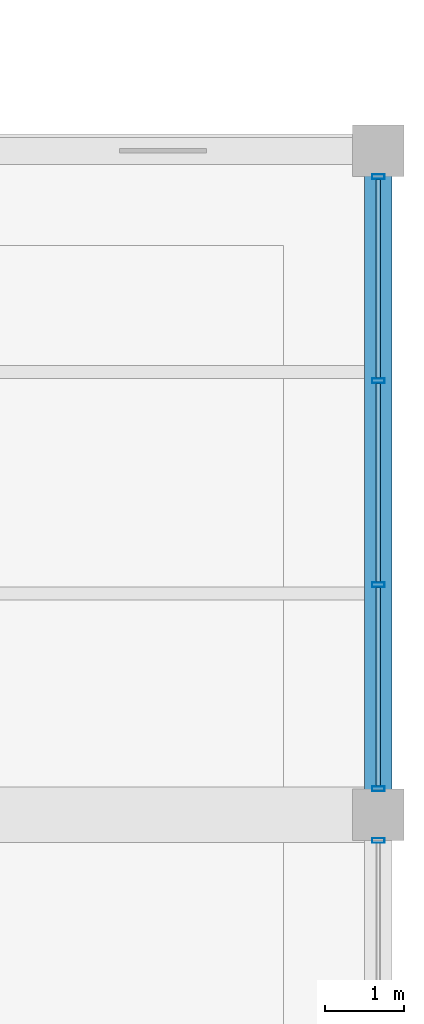
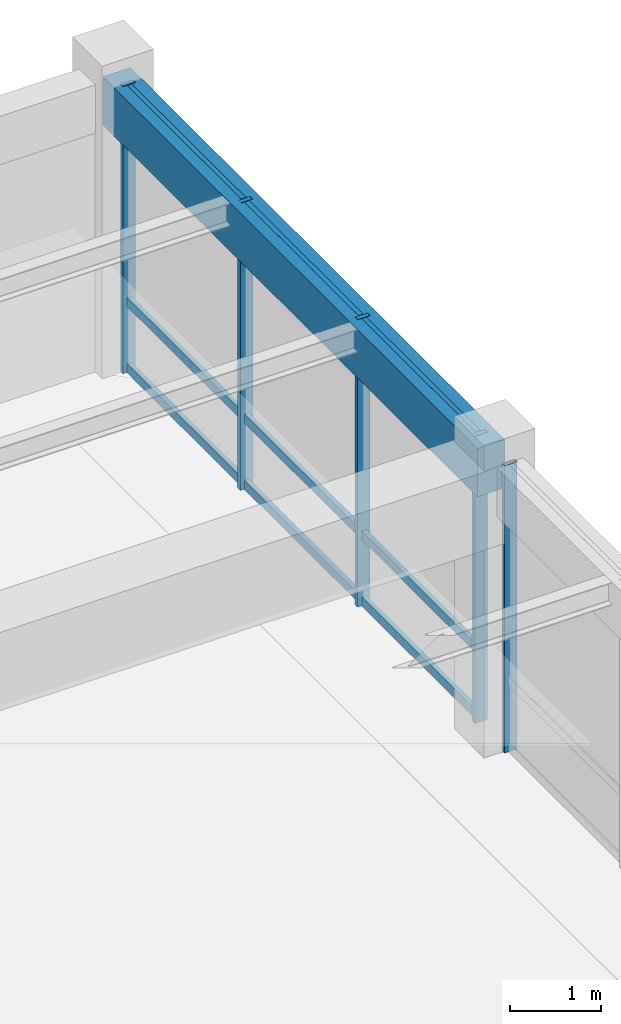
# One storey, part 102 of 138: 14 members, 1 beam, 2 elements without a shape of their own.
"""IFC4 building model written with IfcOpenShell, lengths in metres."""

from ifc_helpers import new_model, si_unit, direction, frame, origin, origin_2d, place, context, subcontext, project, spatial, rectangle, hollow_rectangle, extrude, material, material_profile, profile_set, type_object, element, aggregate, save


model = new_model("IFC4")

# Units and contexts
model_context = context("Model", 3, precision=1e-05, world=origin(), true_north=direction((0.0, 1.0)))
body_context = subcontext(model_context, "Body", "Model", "MODEL_VIEW")
ifc_project = project(units=[si_unit("LENGTHUNIT", "METRE"), si_unit("AREAUNIT", "SQUARE_METRE"), si_unit("VOLUMEUNIT", "CUBIC_METRE"), si_unit("PLANEANGLEUNIT", "RADIAN"), si_unit("MASSUNIT", "GRAM", prefix="KILO"), si_unit("THERMODYNAMICTEMPERATUREUNIT", "KELVIN"), si_unit("POWERUNIT", "WATT")], contexts=[model_context])

# Site, building, storey
site_placement = place(None, origin())
site = spatial("IfcSite", under=ifc_project, at=site_placement, CompositionType="ELEMENT")
building_placement = place(site_placement, origin())
building = spatial("IfcBuilding", under=site, at=building_placement, Name="Darbajah Civic Hall", CompositionType="ELEMENT")
storey_placement = place(building_placement, frame((0.0, 0.0, 9.60009765625)))
storey = spatial("IfcBuildingStorey", under=building, at=storey_placement, Name="L02", CompositionType="ELEMENT", Elevation=9.60009765625)

# Curtain wall, member
ifc_material_1 = material(Name="Anodised Bronze Aluminium and Low-E Glazing", Category="aluminium")
curtain_wall_type = type_object("IfcCurtainWallType", Name="Unitised Curtain Wall CW-97 7700x3850", PredefinedType="USERDEFINED", material=ifc_material_1)
curtain_wall_1_placement = place(storey_placement, origin())
curtain_wall_1 = element("IfcCurtainWall", 1, at=curtain_wall_1_placement, inside=storey, type_object=curtain_wall_type, Name="L02 unitised curtain wall CW-V4-L02-S1-B4", ObjectType="UNITISED CURTAIN WALL", PredefinedType="USERDEFINED")
ifc_material_2 = material(Name="Anodised Bronze Aluminium", Category="aluminium")
ifc_material_profile_1 = material_profile(ifc_material_2, hollow_rectangle(XDim=0.06005859375, YDim=0.159912109375, WallThickness=0.00341796875, at=origin_2d()), Name="ALU MULLION 60x160")
ifc_profile_set_1 = profile_set([ifc_material_profile_1], Name="Anodised Bronze Aluminium")
member_type_1 = type_object("IfcMemberType", Name="ALU MULLION 60x160", PredefinedType="MULLION", material=ifc_profile_set_1)
member_1_placement = place(storey_placement, frame((178.199951171875, 98.072998046875, 0.0), z_axis=(0.0, 0.0, 1.0), x_axis=(0.0, 1.0, 0.0)))
member_1 = element("IfcMember", 2, at=member_1_placement, type_object=member_type_1, Name="CW-V4-L02-S1-B4 mullion 4", PredefinedType="MULLION", context=body_context, shape_type="SweptSolid", body=[
    extrude(hollow_rectangle(XDim=0.06005859375, YDim=0.159912109375, WallThickness=0.00341796875, at=origin_2d()), origin(), (0.0, 0.0, 1.0), 3.85986328125),
])
aggregate(curtain_wall_1, [member_1])

# Curtain wall, members
curtain_wall_2_placement = place(storey_placement, origin())
curtain_wall_2 = element("IfcCurtainWall", 3, at=curtain_wall_2_placement, inside=storey, type_object=curtain_wall_type, Name="L02 unitised curtain wall CW-V4-L02-S1-B5", ObjectType="UNITISED CURTAIN WALL", PredefinedType="USERDEFINED")
member_2_placement = place(storey_placement, frame((178.199951171875, 98.72705078125, 0.0), z_axis=(0.0, 0.0, 1.0), x_axis=(0.0, 1.0, 0.0)))
member_2 = element("IfcMember", 4, at=member_2_placement, type_object=member_type_1, Name="CW-V4-L02-S1-B5 mullion 1", PredefinedType="MULLION", context=body_context, shape_type="SweptSolid", body=[
    extrude(hollow_rectangle(XDim=0.06005859375, YDim=0.159912109375, WallThickness=0.00341796875, at=origin_2d()), origin(), (0.0, 0.0, 1.0), 3.85986328125),
])
member_3_placement = place(storey_placement, frame((178.199951171875, 101.30908203125, 0.0), z_axis=(0.0, 0.0, 1.0), x_axis=(0.0, 1.0, 0.0)))
member_3 = element("IfcMember", 5, at=member_3_placement, type_object=member_type_1, Name="CW-V4-L02-S1-B5 mullion 2", PredefinedType="MULLION", context=body_context, shape_type="SweptSolid", body=[
    extrude(hollow_rectangle(XDim=0.06005859375, YDim=0.159912109375, WallThickness=0.00341796875, at=origin_2d()), origin(), (0.0, 0.0, 1.0), 3.85986328125),
])
member_4_placement = place(storey_placement, frame((178.199951171875, 103.89111328125, 0.0), z_axis=(0.0, 0.0, 1.0), x_axis=(0.0, 1.0, 0.0)))
member_4 = element("IfcMember", 6, at=member_4_placement, type_object=member_type_1, Name="CW-V4-L02-S1-B5 mullion 3", PredefinedType="MULLION", context=body_context, shape_type="SweptSolid", body=[
    extrude(hollow_rectangle(XDim=0.06005859375, YDim=0.159912109375, WallThickness=0.00341796875, at=origin_2d()), origin(), (0.0, 0.0, 1.0), 3.85986328125),
])
member_5_placement = place(storey_placement, frame((178.199951171875, 106.472900390625, 0.0), z_axis=(0.0, 0.0, 1.0), x_axis=(0.0, 1.0, 0.0)))
member_5 = element("IfcMember", 7, at=member_5_placement, type_object=member_type_1, Name="CW-V4-L02-S1-B5 mullion 4", PredefinedType="MULLION", context=body_context, shape_type="SweptSolid", body=[
    extrude(hollow_rectangle(XDim=0.06005859375, YDim=0.159912109375, WallThickness=0.00341796875, at=origin_2d()), origin(), (0.0, 0.0, 1.0), 3.85986328125),
])
ifc_material_profile_2 = material_profile(ifc_material_2, hollow_rectangle(XDim=0.06005859375, YDim=0.1201171875, WallThickness=0.003173828125, at=origin_2d()), Name="ALU TRANSOM 60x120")
ifc_profile_set_2 = profile_set([ifc_material_profile_2], Name="Anodised Bronze Aluminium")
member_type_2 = type_object("IfcMemberType", Name="ALU TRANSOM 60x120", PredefinedType="USERDEFINED", material=ifc_profile_set_2)
member_6_placement = place(storey_placement, frame((178.199951171875, 98.761962890625, 0.059814453125), z_axis=(0.0, 1.0, 0.0), x_axis=(-1.0, 0.0, 0.0)))
member_6 = element("IfcMember", 8, at=member_6_placement, type_object=member_type_2, Name="CW-V4-L02-S1-B5 transom 1.1", ObjectType="TRANSOM", PredefinedType="USERDEFINED", context=body_context, shape_type="SweptSolid", body=[
    extrude(hollow_rectangle(XDim=0.06005859375, YDim=0.1201171875, WallThickness=0.003173828125, at=origin_2d()), origin(), (0.0, 0.0, 1.0), 2.511962890625),
])
member_7_placement = place(storey_placement, frame((178.199951171875, 98.761962890625, 0.949951171875), z_axis=(0.0, 1.0, 0.0), x_axis=(-1.0, 0.0, 0.0)))
member_7 = element("IfcMember", 9, at=member_7_placement, type_object=member_type_2, Name="CW-V4-L02-S1-B5 transom 1.2", ObjectType="TRANSOM", PredefinedType="USERDEFINED", context=body_context, shape_type="SweptSolid", body=[
    extrude(hollow_rectangle(XDim=0.06005859375, YDim=0.1201171875, WallThickness=0.003173828125, at=origin_2d()), origin(), (0.0, 0.0, 1.0), 2.511962890625),
])
member_8_placement = place(storey_placement, frame((178.199951171875, 98.761962890625, 3.7998046875), z_axis=(0.0, 1.0, 0.0), x_axis=(-1.0, 0.0, 0.0)))
member_8 = element("IfcMember", 10, at=member_8_placement, type_object=member_type_2, Name="CW-V4-L02-S1-B5 transom 1.3", ObjectType="TRANSOM", PredefinedType="USERDEFINED", context=body_context, shape_type="SweptSolid", body=[
    extrude(hollow_rectangle(XDim=0.06005859375, YDim=0.1201171875, WallThickness=0.003173828125, at=origin_2d()), origin(), (0.0, 0.0, 1.0), 2.511962890625),
])
member_9_placement = place(storey_placement, frame((178.199951171875, 101.343994140625, 0.059814453125), z_axis=(0.0, 1.0, 0.0), x_axis=(-1.0, 0.0, 0.0)))
member_9 = element("IfcMember", 11, at=member_9_placement, type_object=member_type_2, Name="CW-V4-L02-S1-B5 transom 2.1", ObjectType="TRANSOM", PredefinedType="USERDEFINED", context=body_context, shape_type="SweptSolid", body=[
    extrude(hollow_rectangle(XDim=0.06005859375, YDim=0.1201171875, WallThickness=0.003173828125, at=origin_2d()), origin(), (0.0, 0.0, 1.0), 2.511962890625),
])
member_10_placement = place(storey_placement, frame((178.199951171875, 101.343994140625, 0.949951171875), z_axis=(0.0, 1.0, 0.0), x_axis=(-1.0, 0.0, 0.0)))
member_10 = element("IfcMember", 12, at=member_10_placement, type_object=member_type_2, Name="CW-V4-L02-S1-B5 transom 2.2", ObjectType="TRANSOM", PredefinedType="USERDEFINED", context=body_context, shape_type="SweptSolid", body=[
    extrude(hollow_rectangle(XDim=0.06005859375, YDim=0.1201171875, WallThickness=0.003173828125, at=origin_2d()), origin(), (0.0, 0.0, 1.0), 2.511962890625),
])
member_11_placement = place(storey_placement, frame((178.199951171875, 101.343994140625, 3.7998046875), z_axis=(0.0, 1.0, 0.0), x_axis=(-1.0, 0.0, 0.0)))
member_11 = element("IfcMember", 13, at=member_11_placement, type_object=member_type_2, Name="CW-V4-L02-S1-B5 transom 2.3", ObjectType="TRANSOM", PredefinedType="USERDEFINED", context=body_context, shape_type="SweptSolid", body=[
    extrude(hollow_rectangle(XDim=0.06005859375, YDim=0.1201171875, WallThickness=0.003173828125, at=origin_2d()), origin(), (0.0, 0.0, 1.0), 2.511962890625),
])
member_12_placement = place(storey_placement, frame((178.199951171875, 103.926025390625, 0.059814453125), z_axis=(0.0, 1.0, 0.0), x_axis=(-1.0, 0.0, 0.0)))
member_12 = element("IfcMember", 14, at=member_12_placement, type_object=member_type_2, Name="CW-V4-L02-S1-B5 transom 3.1", ObjectType="TRANSOM", PredefinedType="USERDEFINED", context=body_context, shape_type="SweptSolid", body=[
    extrude(hollow_rectangle(XDim=0.06005859375, YDim=0.1201171875, WallThickness=0.003173828125, at=origin_2d()), origin(), (0.0, 0.0, 1.0), 2.511962890625),
])
member_13_placement = place(storey_placement, frame((178.199951171875, 103.926025390625, 0.949951171875), z_axis=(0.0, 1.0, 0.0), x_axis=(-1.0, 0.0, 0.0)))
member_13 = element("IfcMember", 15, at=member_13_placement, type_object=member_type_2, Name="CW-V4-L02-S1-B5 transom 3.2", ObjectType="TRANSOM", PredefinedType="USERDEFINED", context=body_context, shape_type="SweptSolid", body=[
    extrude(hollow_rectangle(XDim=0.06005859375, YDim=0.1201171875, WallThickness=0.003173828125, at=origin_2d()), origin(), (0.0, 0.0, 1.0), 2.511962890625),
])
member_14_placement = place(storey_placement, frame((178.199951171875, 103.926025390625, 3.7998046875), z_axis=(0.0, 1.0, 0.0), x_axis=(-1.0, 0.0, 0.0)))
member_14 = element("IfcMember", 16, at=member_14_placement, type_object=member_type_2, Name="CW-V4-L02-S1-B5 transom 3.3", ObjectType="TRANSOM", PredefinedType="USERDEFINED", context=body_context, shape_type="SweptSolid", body=[
    extrude(hollow_rectangle(XDim=0.06005859375, YDim=0.1201171875, WallThickness=0.003173828125, at=origin_2d()), origin(), (0.0, 0.0, 1.0), 2.511962890625),
])
aggregate(curtain_wall_2, [member_2, member_3, member_4, member_5, member_6, member_7, member_8, member_9, member_10, member_11, member_12, member_13, member_14])

# Beam
ifc_material_3 = material(Name="Concrete C45/55", Category="concrete")
ifc_material_profile_3 = material_profile(ifc_material_3, rectangle(XDim=0.35009765625, YDim=0.64990234375, at=origin_2d()), Name="RC SPANDREL 350x650")
ifc_profile_set_3 = profile_set([ifc_material_profile_3], Name="Concrete C45/55")
beam_type = type_object("IfcBeamType", Name="RC SPANDREL 350x650", PredefinedType="SPANDREL", material=ifc_profile_set_3)
beam_placement = place(storey_placement, frame((178.199951171875, 98.47998046875, 3.534912109375), z_axis=(0.0, 1.0, 0.0), x_axis=(-1.0, 0.0, 0.0)))
element("IfcBeam", 17, at=beam_placement, inside=storey, type_object=beam_type, Name="L02 beam SP-3565", PredefinedType="SPANDREL", context=body_context, shape_type="SweptSolid", body=[
    extrude(rectangle(XDim=0.35009765625, YDim=0.64990234375, at=origin_2d()), origin(), (0.0, 0.0, 1.0), 8.239990234375),
])

save(model, "model.ifc")
